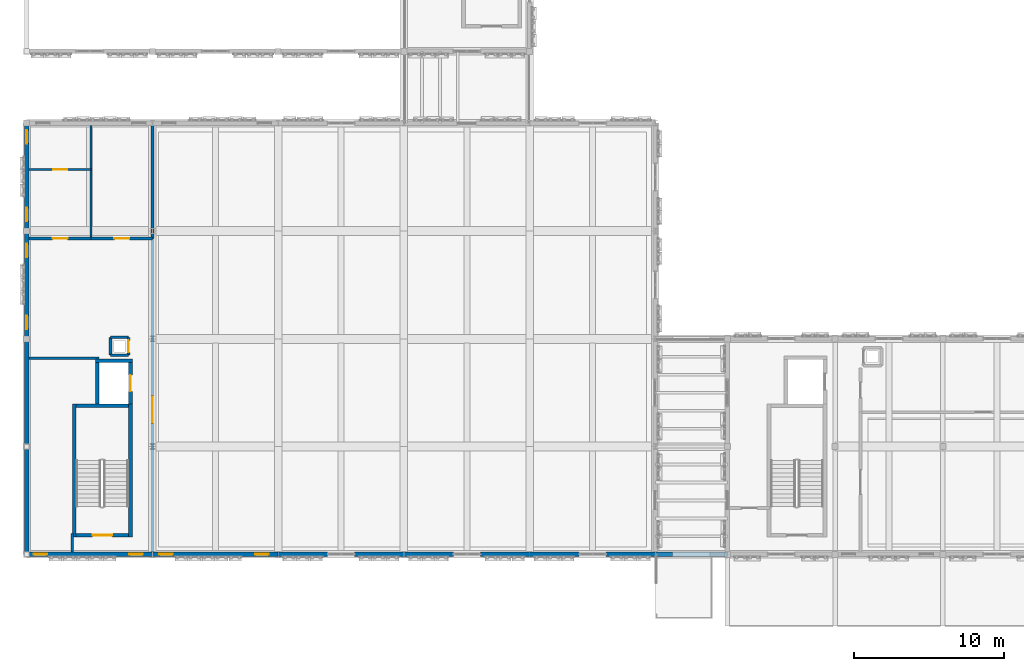
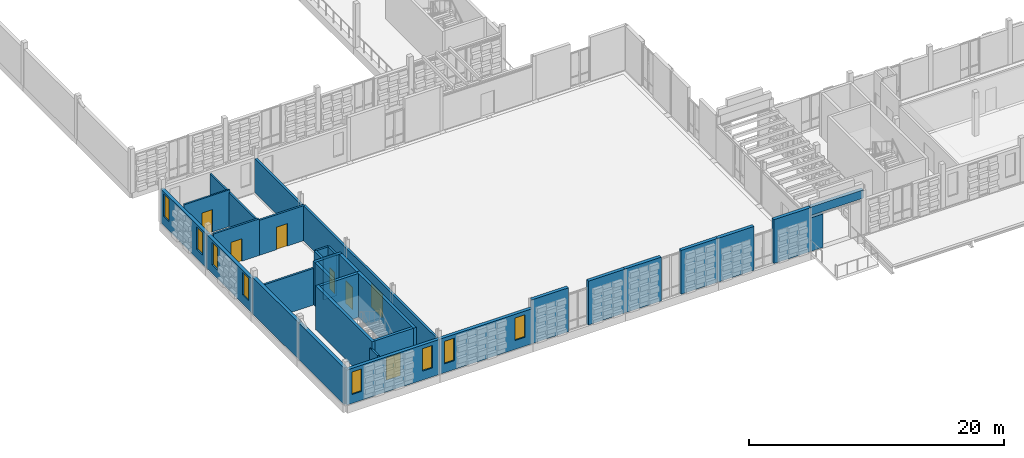
# One storey, part 64 of 99: 33 walls, 8 windows, 7 doors, 15 openings.
"""IFC4 building model written with IfcOpenShell, lengths in metres."""

from ifc_helpers import new_model, si_unit, direction, frame, frame_2d, origin, place, context, subcontext, project, spatial, rectangle, extrude, material, layer, layer_set, type_object, element, fill, save


model = new_model("IFC4")

# Units and contexts
model_context = context("Model", 3, precision=1e-05, world=origin(), true_north=direction((0.0, 1.0)))
body_context = subcontext(model_context, "Body", "Model", "MODEL_VIEW")
ifc_project = project(units=[si_unit("LENGTHUNIT", "METRE"), si_unit("AREAUNIT", "SQUARE_METRE"), si_unit("VOLUMEUNIT", "CUBIC_METRE"), si_unit("PLANEANGLEUNIT", "RADIAN"), si_unit("MASSUNIT", "GRAM", prefix="KILO")], contexts=[model_context])

# Site, building, storey
site_placement = place(None, origin())
site = spatial("IfcSite", under=ifc_project, at=site_placement, CompositionType="ELEMENT")
building_placement = place(site_placement, origin())
building = spatial("IfcBuilding", under=site, at=building_placement, Name="Kahlenmark Community Centre", CompositionType="ELEMENT")
storey_placement = place(building_placement, frame((0.0, 0.0, 5.39990234375)))
storey = spatial("IfcBuildingStorey", under=building, at=storey_placement, Name="L01", CompositionType="ELEMENT", Elevation=5.39990234375)

# Wall, opening, door
ifc_material_1 = material(Name="Concrete C35/45", Category="concrete")
ifc_layer_1 = layer(ifc_material_1, 0.25)
ifc_layer_set_1 = layer_set([ifc_layer_1], Name="Concrete C35/45")
wall_type_1 = type_object("IfcWallType", Name="WT-CORE-250", PredefinedType="SHEAR", material=ifc_layer_set_1)
wall_1_placement = place(storey_placement, frame((7.300048828125, 10.074951171875, 0.0), z_axis=(0.0, 0.0, 1.0), x_axis=(1.0, 0.0, 0.0)))
wall_1 = element("IfcWall", 1, at=wall_1_placement, inside=storey, type_object=wall_type_1, Name="Core K1 shear wall WL-CORE-K1-L01-0015", PredefinedType="SHEAR", context=body_context, shape_type="SweptSolid", body=[
    extrude(rectangle(XDim=3.5, YDim=0.25, at=frame_2d((1.75, 0.0))), origin(), (0.0, 0.0, 1.0), 4.2001953125),
])
opening_1_placement = place(wall_1_placement, frame((1.10009765625, 0.0, -0.010009765625)))
opening_1 = element("IfcOpeningElement", 2, at=opening_1_placement, cuts=wall_1, Name="Opening FD-K1-L01", PredefinedType="OPENING", context=body_context, shape_type="SweptSolid", body=[
    extrude(rectangle(XDim=1.300048828125, YDim=2.159912109375, at=frame_2d((0.64990234375, 1.080078125))), frame((0.0, 0.135009765625, 0.0), z_axis=(0.0, -1.0, 0.0), x_axis=(1.0, 0.0, 0.0)), (0.0, 0.0, 1.0), 0.27001953125),
])
ifc_material_2 = material(Name="Fire-rated steel-framed timber door FD60S", Category="steel")
door_type_1 = type_object("IfcDoorType", Name="DT-FD-K1-L01", OperationType="NOTDEFINED", PredefinedType="DOOR", material=ifc_material_2)
door_1_placement = place(opening_1_placement, frame((0.0, 0.0, 0.010009765625)))
door_1 = element("IfcDoor", 3, at=door_1_placement, inside=storey, type_object=door_type_1, Name="Core K1 stair fire door L01", OperationType="SINGLE_SWING_RIGHT", OverallHeight=2.14990234375, OverallWidth=1.300048828125, PredefinedType="DOOR", context=body_context, shape_type="SweptSolid", body=[
    extrude(rectangle(XDim=1.300048828125, YDim=2.14990234375, at=frame_2d((0.64990234375, 1.074951171875))), frame((0.0, 0.02490234375, 0.0), z_axis=(0.0, -1.0, 0.0), x_axis=(1.0, 0.0, 0.0)), (0.0, 0.0, 1.0), 0.050048828125),
])
fill(opening_1, door_1)

# Walls
wall_2_placement = place(storey_placement, frame((7.175048828125, 9.949951171875, 0.0), z_axis=(0.0, 0.0, 1.0), x_axis=(0.0, 1.0, 0.0)))
element("IfcWall", 4, at=wall_2_placement, inside=storey, type_object=wall_type_1, Name="Core K1 shear wall WL-CORE-K1-L01-0016", PredefinedType="SHEAR", context=body_context, shape_type="SweptSolid", body=[
    extrude(rectangle(XDim=8.900146484375, YDim=0.25, at=frame_2d((4.4501953125, 0.0))), origin(), (0.0, 0.0, 1.0), 4.2001953125),
])
wall_3_placement = place(storey_placement, frame((10.800048828125, 18.72509765625, 0.0), z_axis=(0.0, 0.0, 1.0), x_axis=(-1.0, 0.0, 0.0)))
element("IfcWall", 5, at=wall_3_placement, inside=storey, type_object=wall_type_1, Name="Core K1 shear wall WL-CORE-K1-L01-0017", PredefinedType="SHEAR", context=body_context, shape_type="SweptSolid", body=[
    extrude(rectangle(XDim=3.5, YDim=0.25, at=frame_2d((1.75, 0.0))), origin(), (0.0, 0.0, 1.0), 4.2001953125),
])
wall_4_placement = place(storey_placement, frame((10.925048828125, 9.949951171875, 0.0), z_axis=(0.0, 0.0, 1.0), x_axis=(0.0, 1.0, 0.0)))
element("IfcWall", 6, at=wall_4_placement, inside=storey, type_object=wall_type_1, Name="Core K1 shear wall WL-CORE-K1-L01-0018", PredefinedType="SHEAR", context=body_context, shape_type="SweptSolid", body=[
    extrude(rectangle(XDim=8.900146484375, YDim=0.25, at=frame_2d((4.4501953125, 0.0))), origin(), (0.0, 0.0, 1.0), 4.2001953125),
])
wall_5_placement = place(storey_placement, frame((8.590087890625, 21.735107421875, 0.0), z_axis=(0.0, 0.0, 1.0), x_axis=(1.0, 0.0, 0.0)))
element("IfcWall", 7, at=wall_5_placement, inside=storey, type_object=wall_type_1, Name="Core K1 shear wall WL-CORE-K1-L01-0019", PredefinedType="SHEAR", context=body_context, shape_type="SweptSolid", body=[
    extrude(rectangle(XDim=2.4599609375, YDim=0.25, at=frame_2d((1.22998046875, 0.0))), origin(), (0.0, 0.0, 1.0), 4.2001953125),
])

# Wall, opening, door
wall_6_placement = place(storey_placement, frame((10.925048828125, 18.85009765625, 0.0), z_axis=(0.0, 0.0, 1.0), x_axis=(0.0, 1.0, 0.0)))
wall_6 = element("IfcWall", 8, at=wall_6_placement, inside=storey, type_object=wall_type_1, Name="Core K1 shear wall WL-CORE-K1-L01-0020", PredefinedType="SHEAR", context=body_context, shape_type="SweptSolid", body=[
    extrude(rectangle(XDim=2.760009765625, YDim=0.25, at=frame_2d((1.3798828125, 0.0))), origin(), (0.0, 0.0, 1.0), 4.2001953125),
])
opening_2_placement = place(wall_6_placement, frame((0.830078125, 0.0, -0.010009765625)))
opening_2 = element("IfcOpeningElement", 9, at=opening_2_placement, cuts=wall_6, Name="Opening LD-1", PredefinedType="OPENING", context=body_context, shape_type="SweptSolid", body=[
    extrude(rectangle(XDim=1.10009765625, YDim=2.159912109375, at=frame_2d((0.550048828125, 1.080078125))), frame((0.0, 0.135009765625, 0.0), z_axis=(0.0, -1.0, 0.0), x_axis=(1.0, 0.0, 0.0)), (0.0, 0.0, 1.0), 0.27001953125),
])
ifc_material_3 = material(Name="Brushed stainless steel sliding lift landing door", Category="steel")
door_type_2 = type_object("IfcDoorType", Name="DT-LD-K1", OperationType="SLIDING_TO_LEFT", PredefinedType="DOOR", material=ifc_material_3)
door_2_placement = place(opening_2_placement, frame((0.0, 0.0, 0.010009765625)))
door_2 = element("IfcDoor", 10, at=door_2_placement, inside=storey, type_object=door_type_2, Name="Lift LF-01 sliding landing door L01", OperationType="SLIDING_TO_LEFT", OverallHeight=2.14990234375, OverallWidth=1.10009765625, PredefinedType="DOOR", context=body_context, shape_type="SweptSolid", body=[
    extrude(rectangle(XDim=1.10009765625, YDim=2.14990234375, at=frame_2d((0.550048828125, 1.074951171875))), frame((0.0, 0.02490234375, 0.0), z_axis=(0.0, -1.0, 0.0), x_axis=(1.0, 0.0, 0.0)), (0.0, 0.0, 1.0), 0.050048828125),
])
fill(opening_2, door_2)

# Wall
wall_7_placement = place(storey_placement, frame((8.715087890625, 18.85009765625, 0.0), z_axis=(0.0, 0.0, 1.0), x_axis=(0.0, 1.0, 0.0)))
element("IfcWall", 11, at=wall_7_placement, inside=storey, type_object=wall_type_1, Name="Core K1 shear wall WL-CORE-K1-L01-0021", PredefinedType="SHEAR", context=body_context, shape_type="SweptSolid", body=[
    extrude(rectangle(XDim=3.010009765625, YDim=0.25, at=frame_2d((1.5048828125, 0.0))), origin(), (0.0, 0.0, 1.0), 4.2001953125),
])

# Wall, openings, windows
ifc_material_4 = material(Name="Cross-laminated timber CLT C24", Category="wood")
ifc_layer_2 = layer(ifc_material_4, 0.300048828125)
ifc_layer_set_2 = layer_set([ifc_layer_2], Name="Cross-laminated timber CLT C24")
wall_type_2 = type_object("IfcWallType", Name="WT-EW-300", PredefinedType="SOLIDWALL", material=ifc_layer_set_2)
wall_8_placement = place(storey_placement, frame((4.0, 8.800048828125, 0.0), z_axis=(0.0, 0.0, 1.0), x_axis=(1.0, 0.0, 0.0)))
wall_8 = element("IfcWall", 12, at=wall_8_placement, inside=storey, type_object=wall_type_2, Name="Exterior wall WL-EXT-L01-0245", PredefinedType="SOLIDWALL", context=body_context, shape_type="SweptSolid", body=[
    extrude(rectangle(XDim=8.39990234375, YDim=0.300048828125, at=frame_2d((4.199951171875, 0.0))), origin(), (0.0, 0.0, 1.0), 3.35009765625),
])
opening_3_placement = place(wall_8_placement, frame((0.4599609375, 0.0, 0.85009765625)))
opening_3 = element("IfcOpeningElement", 13, at=opening_3_placement, cuts=wall_8, Name="Opening W-090X215", PredefinedType="OPENING", context=body_context, shape_type="SweptSolid", body=[
    extrude(rectangle(XDim=0.89990234375, YDim=2.14990234375, at=frame_2d((0.449951171875, 1.074951171875))), frame((0.0, 0.159912109375, 0.0), z_axis=(0.0, -1.0, 0.0), x_axis=(1.0, 0.0, 0.0)), (0.0, 0.0, 1.0), 0.320068359375),
])
opening_4_placement = place(wall_8_placement, frame((6.860107421875, 0.0, 0.85009765625)))
opening_4 = element("IfcOpeningElement", 14, at=opening_4_placement, cuts=wall_8, Name="Opening W-090X215", PredefinedType="OPENING", context=body_context, shape_type="SweptSolid", body=[
    extrude(rectangle(XDim=0.89990234375, YDim=2.14990234375, at=frame_2d((0.449951171875, 1.074951171875))), frame((0.0, 0.159912109375, 0.0), z_axis=(0.0, -1.0, 0.0), x_axis=(1.0, 0.0, 0.0)), (0.0, 0.0, 1.0), 0.320068359375),
])
ifc_material_5 = material(Name="Recessed basketweave aperture triple glazing", Category="glass")
window_type = type_object("IfcWindowType", Name="WNT-090X215", PartitioningType="SINGLE_PANEL", PredefinedType="WINDOW", material=ifc_material_5)
window_1_placement = place(opening_3_placement, origin())
window_1 = element("IfcWindow", 15, at=window_1_placement, inside=storey, type_object=window_type, Name="Window W-090X215 #0165", OverallHeight=2.14990234375, OverallWidth=0.89990234375, PartitioningType="SINGLE_PANEL", PredefinedType="WINDOW", context=body_context, shape_type="SweptSolid", body=[
    extrude(rectangle(XDim=0.89990234375, YDim=2.14990234375, at=frame_2d((0.449951171875, 1.074951171875))), frame((0.0, 0.030029296875, 0.0), z_axis=(0.0, -1.0, 0.0), x_axis=(1.0, 0.0, 0.0)), (0.0, 0.0, 1.0), 0.06005859375),
])
fill(opening_3, window_1)
window_2_placement = place(opening_4_placement, origin())
window_2 = element("IfcWindow", 16, at=window_2_placement, inside=storey, type_object=window_type, Name="Window W-090X215 #0166", OverallHeight=2.14990234375, OverallWidth=0.89990234375, PartitioningType="SINGLE_PANEL", PredefinedType="WINDOW", context=body_context, shape_type="SweptSolid", body=[
    extrude(rectangle(XDim=0.89990234375, YDim=2.14990234375, at=frame_2d((0.449951171875, 1.074951171875))), frame((0.0, 0.030029296875, 0.0), z_axis=(0.0, -1.0, 0.0), x_axis=(1.0, 0.0, 0.0)), (0.0, 0.0, 1.0), 0.06005859375),
])
fill(opening_4, window_2)

wall_9_placement = place(storey_placement, frame((12.39990234375, 8.800048828125, 0.0), z_axis=(0.0, 0.0, 1.0), x_axis=(1.0, 0.0, 0.0)))
wall_9 = element("IfcWall", 17, at=wall_9_placement, inside=storey, type_object=wall_type_2, Name="Exterior wall WL-EXT-L01-0246", PredefinedType="SOLIDWALL", context=body_context, shape_type="SweptSolid", body=[
    extrude(rectangle(XDim=8.400146484375, YDim=0.300048828125, at=frame_2d((4.2001953125, 0.0))), origin(), (0.0, 0.0, 1.0), 3.35009765625),
])
opening_5_placement = place(wall_9_placement, frame((0.4599609375, 0.0, 0.85009765625)))
opening_5 = element("IfcOpeningElement", 18, at=opening_5_placement, cuts=wall_9, Name="Opening W-090X215", PredefinedType="OPENING", context=body_context, shape_type="SweptSolid", body=[
    extrude(rectangle(XDim=0.89990234375, YDim=2.14990234375, at=frame_2d((0.449951171875, 1.074951171875))), frame((0.0, 0.159912109375, 0.0), z_axis=(0.0, -1.0, 0.0), x_axis=(1.0, 0.0, 0.0)), (0.0, 0.0, 1.0), 0.320068359375),
])
opening_6_placement = place(wall_9_placement, frame((6.860107421875, 0.0, 0.85009765625)))
opening_6 = element("IfcOpeningElement", 19, at=opening_6_placement, cuts=wall_9, Name="Opening W-090X215", PredefinedType="OPENING", context=body_context, shape_type="SweptSolid", body=[
    extrude(rectangle(XDim=0.89990234375, YDim=2.14990234375, at=frame_2d((0.449951171875, 1.074951171875))), frame((0.0, 0.159912109375, 0.0), z_axis=(0.0, -1.0, 0.0), x_axis=(1.0, 0.0, 0.0)), (0.0, 0.0, 1.0), 0.320068359375),
])
window_3_placement = place(opening_5_placement, origin())
window_3 = element("IfcWindow", 20, at=window_3_placement, inside=storey, type_object=window_type, Name="Window W-090X215 #0167", OverallHeight=2.14990234375, OverallWidth=0.89990234375, PartitioningType="SINGLE_PANEL", PredefinedType="WINDOW", context=body_context, shape_type="SweptSolid", body=[
    extrude(rectangle(XDim=0.89990234375, YDim=2.14990234375, at=frame_2d((0.449951171875, 1.074951171875))), frame((0.0, 0.030029296875, 0.0), z_axis=(0.0, -1.0, 0.0), x_axis=(1.0, 0.0, 0.0)), (0.0, 0.0, 1.0), 0.06005859375),
])
fill(opening_5, window_3)
window_4_placement = place(opening_6_placement, origin())
window_4 = element("IfcWindow", 21, at=window_4_placement, inside=storey, type_object=window_type, Name="Window W-090X215 #0168", OverallHeight=2.14990234375, OverallWidth=0.89990234375, PartitioningType="SINGLE_PANEL", PredefinedType="WINDOW", context=body_context, shape_type="SweptSolid", body=[
    extrude(rectangle(XDim=0.89990234375, YDim=2.14990234375, at=frame_2d((0.449951171875, 1.074951171875))), frame((0.0, 0.030029296875, 0.0), z_axis=(0.0, -1.0, 0.0), x_axis=(1.0, 0.0, 0.0)), (0.0, 0.0, 1.0), 0.06005859375),
])
fill(opening_6, window_4)

# Walls
for number, where, z_axis, x_axis, name in (
    (22, (20.800048828125, 8.800048828125, 0.0), (0.0, 0.0, 1.0), (1.0, 0.0, 0.0), "Basketweave backup wall WL-EXT-L01-0247"),
    (23, (25.89990234375, 8.800048828125, 0.0), (0.0, 0.0, 1.0), (1.0, 0.0, 0.0), "Basketweave backup wall WL-EXT-L01-0248"),
    (24, (29.199951171875, 8.800048828125, 0.0), (0.0, 0.0, 1.0), (1.0, 0.0, 0.0), "Basketweave backup wall WL-EXT-L01-0249"),
    (25, (34.300048828125, 8.800048828125, 0.0), (0.0, 0.0, 1.0), (1.0, 0.0, 0.0), "Basketweave backup wall WL-EXT-L01-0250"),
):
    element("IfcWall", number, at=place(storey_placement, frame(where, z_axis=z_axis, x_axis=x_axis)), inside=storey, type_object=wall_type_2, Name=name, PredefinedType="SOLIDWALL", context=body_context, shape_type="SweptSolid", body=[
        extrude(rectangle(XDim=3.300048828125, YDim=0.300048828125, at=frame_2d((1.64990234375, 0.0))), origin(), (0.0, 0.0, 1.0), 4.2001953125),
    ])
wall_10_placement = place(storey_placement, frame((37.60009765625, 8.800048828125, 0.0), z_axis=(0.0, 0.0, 1.0), x_axis=(1.0, 0.0, 0.0)))
element("IfcWall", 26, at=wall_10_placement, inside=storey, type_object=wall_type_2, Name="Basketweave backup wall WL-EXT-L01-0251", PredefinedType="SOLIDWALL", context=body_context, shape_type="SweptSolid", body=[
    extrude(rectangle(XDim=3.2998046875, YDim=0.300048828125, at=frame_2d((1.64990234375, 0.0))), origin(), (0.0, 0.0, 1.0), 4.2001953125),
])
wall_11_placement = place(storey_placement, frame((42.699951171875, 8.800048828125, 0.0), z_axis=(0.0, 0.0, 1.0), x_axis=(1.0, 0.0, 0.0)))
element("IfcWall", 27, at=wall_11_placement, inside=storey, type_object=wall_type_2, Name="Basketweave backup wall WL-EXT-L01-0252", PredefinedType="SOLIDWALL", context=body_context, shape_type="SweptSolid", body=[
    extrude(rectangle(XDim=3.300048828125, YDim=0.300048828125, at=frame_2d((1.64990234375, 0.0))), origin(), (0.0, 0.0, 1.0), 4.2001953125),
])
for number, where, z_axis, x_axis, name in (
    (28, (4.0, 16.0, 0.0), (0.0, 0.0, 1.0), (0.0, -1.0, 0.0), "Exterior wall WL-EXT-L01-0260"),
    (29, (4.0, 23.199951171875, 0.0), (0.0, 0.0, 1.0), (0.0, -1.0, 0.0), "Exterior wall WL-EXT-L01-0261"),
):
    element("IfcWall", number, at=place(storey_placement, frame(where, z_axis=z_axis, x_axis=x_axis)), inside=storey, type_object=wall_type_2, Name=name, PredefinedType="SOLIDWALL", context=body_context, shape_type="SweptSolid", body=[
        extrude(rectangle(XDim=7.199951171875, YDim=0.300048828125, at=frame_2d((3.60009765625, 0.0))), origin(), (0.0, 0.0, 1.0), 3.5),
    ])

# Wall, openings, windows
wall_12_placement = place(storey_placement, frame((4.0, 30.39990234375, 0.0), z_axis=(0.0, 0.0, 1.0), x_axis=(0.0, -1.0, 0.0)))
wall_12 = element("IfcWall", 30, at=wall_12_placement, inside=storey, type_object=wall_type_2, Name="Exterior wall WL-EXT-L01-0262", PredefinedType="SOLIDWALL", context=body_context, shape_type="SweptSolid", body=[
    extrude(rectangle(XDim=7.199951171875, YDim=0.300048828125, at=frame_2d((3.60009765625, 0.0))), origin(), (0.0, 0.0, 1.0), 3.22998046875),
])
opening_7_placement = place(wall_12_placement, frame((0.860107421875, 0.0, 0.85009765625)))
opening_7 = element("IfcOpeningElement", 31, at=opening_7_placement, cuts=wall_12, Name="Opening W-090X215", PredefinedType="OPENING", context=body_context, shape_type="SweptSolid", body=[
    extrude(rectangle(XDim=0.89990234375, YDim=2.14990234375, at=frame_2d((0.449951171875, 1.074951171875))), frame((0.0, 0.159912109375, 0.0), z_axis=(0.0, -1.0, 0.0), x_axis=(1.0, 0.0, 0.0)), (0.0, 0.0, 1.0), 0.320068359375),
])
opening_8_placement = place(wall_12_placement, frame((5.659912109375, 0.0, 0.85009765625)))
opening_8 = element("IfcOpeningElement", 32, at=opening_8_placement, cuts=wall_12, Name="Opening W-090X215", PredefinedType="OPENING", context=body_context, shape_type="SweptSolid", body=[
    extrude(rectangle(XDim=0.89990234375, YDim=2.14990234375, at=frame_2d((0.449951171875, 1.074951171875))), frame((0.0, 0.159912109375, 0.0), z_axis=(0.0, -1.0, 0.0), x_axis=(1.0, 0.0, 0.0)), (0.0, 0.0, 1.0), 0.320068359375),
])
window_5_placement = place(opening_7_placement, origin())
window_5 = element("IfcWindow", 33, at=window_5_placement, inside=storey, type_object=window_type, Name="Window W-090X215 #0173", OverallHeight=2.14990234375, OverallWidth=0.89990234375, PartitioningType="SINGLE_PANEL", PredefinedType="WINDOW", context=body_context, shape_type="SweptSolid", body=[
    extrude(rectangle(XDim=0.89990234375, YDim=2.14990234375, at=frame_2d((0.449951171875, 1.074951171875))), frame((0.0, 0.030029296875, 0.0), z_axis=(0.0, -1.0, 0.0), x_axis=(1.0, 0.0, 0.0)), (0.0, 0.0, 1.0), 0.06005859375),
])
fill(opening_7, window_5)
window_6_placement = place(opening_8_placement, origin())
window_6 = element("IfcWindow", 34, at=window_6_placement, inside=storey, type_object=window_type, Name="Window W-090X215 #0174", OverallHeight=2.14990234375, OverallWidth=0.89990234375, PartitioningType="SINGLE_PANEL", PredefinedType="WINDOW", context=body_context, shape_type="SweptSolid", body=[
    extrude(rectangle(XDim=0.89990234375, YDim=2.14990234375, at=frame_2d((0.449951171875, 1.074951171875))), frame((0.0, 0.030029296875, 0.0), z_axis=(0.0, -1.0, 0.0), x_axis=(1.0, 0.0, 0.0)), (0.0, 0.0, 1.0), 0.06005859375),
])
fill(opening_8, window_6)

wall_13_placement = place(storey_placement, frame((4.0, 37.60009765625, 0.0), z_axis=(0.0, 0.0, 1.0), x_axis=(0.0, -1.0, 0.0)))
wall_13 = element("IfcWall", 35, at=wall_13_placement, inside=storey, type_object=wall_type_2, Name="Exterior wall WL-EXT-L01-0263", PredefinedType="SOLIDWALL", context=body_context, shape_type="SweptSolid", body=[
    extrude(rectangle(XDim=7.2001953125, YDim=0.300048828125, at=frame_2d((3.60009765625, 0.0))), origin(), (0.0, 0.0, 1.0), 3.22998046875),
])
opening_9_placement = place(wall_13_placement, frame((0.4599609375, 0.0, 0.85009765625)))
opening_9 = element("IfcOpeningElement", 36, at=opening_9_placement, cuts=wall_13, Name="Opening W-090X215", PredefinedType="OPENING", context=body_context, shape_type="SweptSolid", body=[
    extrude(rectangle(XDim=0.89990234375, YDim=2.14990234375, at=frame_2d((0.449951171875, 1.074951171875))), frame((0.0, 0.159912109375, 0.0), z_axis=(0.0, -1.0, 0.0), x_axis=(1.0, 0.0, 0.0)), (0.0, 0.0, 1.0), 0.320068359375),
])
opening_10_placement = place(wall_13_placement, frame((5.659912109375, 0.0, 0.85009765625)))
opening_10 = element("IfcOpeningElement", 37, at=opening_10_placement, cuts=wall_13, Name="Opening W-090X215", PredefinedType="OPENING", context=body_context, shape_type="SweptSolid", body=[
    extrude(rectangle(XDim=0.89990234375, YDim=2.14990234375, at=frame_2d((0.449951171875, 1.074951171875))), frame((0.0, 0.159912109375, 0.0), z_axis=(0.0, -1.0, 0.0), x_axis=(1.0, 0.0, 0.0)), (0.0, 0.0, 1.0), 0.320068359375),
])
window_7_placement = place(opening_9_placement, origin())
window_7 = element("IfcWindow", 38, at=window_7_placement, inside=storey, type_object=window_type, Name="Window W-090X215 #0175", OverallHeight=2.14990234375, OverallWidth=0.89990234375, PartitioningType="SINGLE_PANEL", PredefinedType="WINDOW", context=body_context, shape_type="SweptSolid", body=[
    extrude(rectangle(XDim=0.89990234375, YDim=2.14990234375, at=frame_2d((0.449951171875, 1.074951171875))), frame((0.0, 0.030029296875, 0.0), z_axis=(0.0, -1.0, 0.0), x_axis=(1.0, 0.0, 0.0)), (0.0, 0.0, 1.0), 0.06005859375),
])
fill(opening_9, window_7)
window_8_placement = place(opening_10_placement, origin())
window_8 = element("IfcWindow", 39, at=window_8_placement, inside=storey, type_object=window_type, Name="Window W-090X215 #0176", OverallHeight=2.14990234375, OverallWidth=0.89990234375, PartitioningType="SINGLE_PANEL", PredefinedType="WINDOW", context=body_context, shape_type="SweptSolid", body=[
    extrude(rectangle(XDim=0.89990234375, YDim=2.14990234375, at=frame_2d((0.449951171875, 1.074951171875))), frame((0.0, 0.030029296875, 0.0), z_axis=(0.0, -1.0, 0.0), x_axis=(1.0, 0.0, 0.0)), (0.0, 0.0, 1.0), 0.06005859375),
])
fill(opening_10, window_8)

# Walls
ifc_material_6 = material(Name="Danube limestone masonry", Category="masonry")
ifc_layer_3 = layer(ifc_material_6, 0.320068359375)
ifc_layer_set_3 = layer_set([ifc_layer_3], Name="Danube limestone masonry")
wall_type_3 = type_object("IfcWallType", Name="WT-PAR-PED320", PredefinedType="PARAPET", material=ifc_layer_set_3)
wall_14_placement = place(storey_placement, frame((46.0, 8.800048828125, 0.0), z_axis=(0.0, 0.0, 1.0), x_axis=(1.0, 0.0, 0.0)))
element("IfcWall", 40, at=wall_14_placement, inside=storey, type_object=wall_type_3, Name="Postmodern passage stepped-pediment portal 1014", PredefinedType="PARAPET", context=body_context, shape_type="SweptSolid", body=[
    extrude(rectangle(XDim=1.14990234375, YDim=0.320068359375, at=frame_2d((0.574951171875, 0.0))), origin(), (0.0, 0.0, 1.0), 3.210205078125),
])
wall_15_placement = place(storey_placement, frame((46.0, 8.800048828125, 3.4501953125), z_axis=(0.0, 0.0, 1.0), x_axis=(1.0, 0.0, 0.0)))
element("IfcWall", 41, at=wall_15_placement, inside=storey, type_object=wall_type_3, Name="Postmodern passage stepped-pediment portal 1016", PredefinedType="PARAPET", context=body_context, shape_type="SweptSolid", body=[
    extrude(rectangle(XDim=4.800048828125, YDim=0.320068359375, at=frame_2d((2.39990234375, 0.0))), origin(), (0.0, 0.0, 1.0), 0.7998046875),
])
ifc_material_7 = material(Name="Gypsum plasterboard partition", Category="gypsum")
ifc_layer_4 = layer(ifc_material_7, 0.14990234375)
ifc_layer_set_4 = layer_set([ifc_layer_4], Name="Gypsum plasterboard partition")
wall_type_4 = type_object("IfcWallType", Name="WT-PW-150", PredefinedType="PARTITIONING", material=ifc_layer_set_4)
wall_16_placement = place(storey_placement, frame((8.300048828125, 29.89990234375, 0.0), z_axis=(0.0, 0.0, 1.0), x_axis=(0.0, 1.0, 0.0)))
element("IfcWall", 42, at=wall_16_placement, inside=storey, type_object=wall_type_4, Name="Interior partition WL-INT-L01-0100", PredefinedType="PARTITIONING", context=body_context, shape_type="SweptSolid", body=[
    extrude(rectangle(XDim=7.56005859375, YDim=0.14990234375, at=frame_2d((3.780029296875, 0.0))), origin(), (0.0, 0.0, 1.0), 3.22998046875),
])

# Wall, opening, door
wall_17_placement = place(storey_placement, frame((4.159912109375, 34.5, 0.0), z_axis=(0.0, 0.0, 1.0), x_axis=(1.0, 0.0, 0.0)))
wall_17 = element("IfcWall", 43, at=wall_17_placement, inside=storey, type_object=wall_type_4, Name="Interior partition WL-INT-L01-0101", PredefinedType="PARTITIONING", context=body_context, shape_type="SweptSolid", body=[
    extrude(rectangle(XDim=4.14013671875, YDim=0.14990234375, at=frame_2d((2.070068359375, 0.0))), origin(), (0.0, 0.0, 1.0), 3.5),
])
opening_11_placement = place(wall_17_placement, frame((1.594970703125, 0.0, -0.010009765625)))
opening_11 = element("IfcOpeningElement", 44, at=opening_11_placement, cuts=wall_17, Name="Opening D-L01-060", PredefinedType="OPENING", context=body_context, shape_type="SweptSolid", body=[
    extrude(rectangle(XDim=0.949951171875, YDim=2.159912109375, at=frame_2d((0.47509765625, 1.080078125))), frame((0.0, 0.0849609375, 0.0), z_axis=(0.0, -1.0, 0.0), x_axis=(1.0, 0.0, 0.0)), (0.0, 0.0, 1.0), 0.169921875),
])
ifc_material_8 = material(Name="Oak timber veneer door leaf", Category="wood")
door_type_3 = type_object("IfcDoorType", Name="DT-INT-95X215", OperationType="NOTDEFINED", PredefinedType="DOOR", material=ifc_material_8)
door_3_placement = place(opening_11_placement, frame((0.949951171875, 0.0, 0.010009765625), z_axis=(0.0, 0.0, 1.0), x_axis=(-1.0, 0.0, 0.0)))
door_3 = element("IfcDoor", 45, at=door_3_placement, inside=storey, type_object=door_type_3, Name="Interior door D-L01-060", OperationType="SINGLE_SWING_LEFT", OverallHeight=2.14990234375, OverallWidth=0.949951171875, PredefinedType="DOOR", context=body_context, shape_type="SweptSolid", body=[
    extrude(rectangle(XDim=0.949951171875, YDim=2.14990234375, at=frame_2d((0.47509765625, 1.074951171875))), frame((0.0, 0.02490234375, 0.0), z_axis=(0.0, -1.0, 0.0), x_axis=(1.0, 0.0, 0.0)), (0.0, 0.0, 1.0), 0.050048828125),
])
fill(opening_11, door_3)

# Walls
ifc_layer_5 = layer(ifc_material_7, 0.179931640625)
ifc_layer_set_5 = layer_set([ifc_layer_5], Name="Gypsum plasterboard partition")
wall_type_5 = type_object("IfcWallType", Name="WT-PW-180", PredefinedType="PARTITIONING", material=ifc_layer_set_5)
wall_18_placement = place(storey_placement, frame((7.050048828125, 8.9599609375, 0.0), z_axis=(0.0, 0.0, 1.0), x_axis=(0.0, 1.0, 0.0)))
element("IfcWall", 46, at=wall_18_placement, inside=storey, type_object=wall_type_5, Name="Interior partition WL-INT-L01-0094", PredefinedType="PARTITIONING", context=body_context, shape_type="SweptSolid", body=[
    extrude(rectangle(XDim=1.239990234375, YDim=0.179931640625, at=frame_2d((0.6201171875, 0.0))), origin(), (0.0, 0.0, 1.0), 3.5),
])
wall_19_placement = place(storey_placement, frame((4.159912109375, 21.89990234375, 0.0), z_axis=(0.0, 0.0, 1.0), x_axis=(1.0, 0.0, 0.0)))
element("IfcWall", 47, at=wall_19_placement, inside=storey, type_object=wall_type_5, Name="Interior partition WL-INT-L01-0095", PredefinedType="PARTITIONING", context=body_context, shape_type="SweptSolid", body=[
    extrude(rectangle(XDim=4.68017578125, YDim=0.179931640625, at=frame_2d((2.340087890625, 0.0))), origin(), (0.0, 0.0, 1.0), 3.5),
])

# Wall, opening, door
wall_20_placement = place(storey_placement, frame((4.159912109375, 29.89990234375, 0.0), z_axis=(0.0, 0.0, 1.0), x_axis=(1.0, 0.0, 0.0)))
wall_20 = element("IfcWall", 48, at=wall_20_placement, inside=storey, type_object=wall_type_5, Name="Interior partition WL-INT-L01-0098", PredefinedType="PARTITIONING", context=body_context, shape_type="SweptSolid", body=[
    extrude(rectangle(XDim=4.14013671875, YDim=0.179931640625, at=frame_2d((2.070068359375, 0.0))), origin(), (0.0, 0.0, 1.0), 3.5),
])
opening_12_placement = place(wall_20_placement, frame((1.570068359375, 0.0, -0.010009765625)))
opening_12 = element("IfcOpeningElement", 49, at=opening_12_placement, cuts=wall_20, Name="Opening D-L01-058", PredefinedType="OPENING", context=body_context, shape_type="SweptSolid", body=[
    extrude(rectangle(XDim=1.0, YDim=2.159912109375, at=frame_2d((0.5, 1.080078125))), frame((0.0, 0.099853515625, 0.0), z_axis=(0.0, -1.0, 0.0), x_axis=(1.0, 0.0, 0.0)), (0.0, 0.0, 1.0), 0.199951171875),
])
door_type_4 = type_object("IfcDoorType", Name="DT-INT-100X215", OperationType="NOTDEFINED", PredefinedType="DOOR", material=ifc_material_8)
door_4_placement = place(opening_12_placement, frame((0.0, 0.0, 0.010009765625)))
door_4 = element("IfcDoor", 50, at=door_4_placement, inside=storey, type_object=door_type_4, Name="Interior door D-L01-058", OperationType="SINGLE_SWING_LEFT", OverallHeight=2.14990234375, OverallWidth=1.0, PredefinedType="DOOR", context=body_context, shape_type="SweptSolid", body=[
    extrude(rectangle(XDim=1.0, YDim=2.14990234375, at=frame_2d((0.5, 1.074951171875))), frame((0.0, 0.02490234375, 0.0), z_axis=(0.0, -1.0, 0.0), x_axis=(1.0, 0.0, 0.0)), (0.0, 0.0, 1.0), 0.050048828125),
])
fill(opening_12, door_4)

wall_21_placement = place(storey_placement, frame((8.300048828125, 29.89990234375, 0.0), z_axis=(0.0, 0.0, 1.0), x_axis=(1.0, 0.0, 0.0)))
wall_21 = element("IfcWall", 51, at=wall_21_placement, inside=storey, type_object=wall_type_5, Name="Interior partition WL-INT-L01-0099", PredefinedType="PARTITIONING", context=body_context, shape_type="SweptSolid", body=[
    extrude(rectangle(XDim=4.099853515625, YDim=0.179931640625, at=frame_2d((2.0498046875, 0.0))), origin(), (0.0, 0.0, 1.0), 3.35009765625),
])
opening_13_placement = place(wall_21_placement, frame((1.550048828125, 0.0, -0.010009765625)))
opening_13 = element("IfcOpeningElement", 52, at=opening_13_placement, cuts=wall_21, Name="Opening D-L01-059", PredefinedType="OPENING", context=body_context, shape_type="SweptSolid", body=[
    extrude(rectangle(XDim=1.0, YDim=2.159912109375, at=frame_2d((0.5, 1.080078125))), frame((0.0, 0.099853515625, 0.0), z_axis=(0.0, -1.0, 0.0), x_axis=(1.0, 0.0, 0.0)), (0.0, 0.0, 1.0), 0.199951171875),
])
door_5_placement = place(opening_13_placement, frame((0.0, 0.0, 0.010009765625)))
door_5 = element("IfcDoor", 53, at=door_5_placement, inside=storey, type_object=door_type_4, Name="Interior door D-L01-059", OperationType="SINGLE_SWING_RIGHT", OverallHeight=2.14990234375, OverallWidth=1.0, PredefinedType="DOOR", context=body_context, shape_type="SweptSolid", body=[
    extrude(rectangle(XDim=1.0, YDim=2.14990234375, at=frame_2d((0.5, 1.074951171875))), frame((0.0, 0.02490234375, 0.0), z_axis=(0.0, -1.0, 0.0), x_axis=(1.0, 0.0, 0.0)), (0.0, 0.0, 1.0), 0.050048828125),
])
fill(opening_13, door_5)

ifc_material_9 = material(Name="Masonry blockwork", Category="masonry")
ifc_layer_6 = layer(ifc_material_9, 0.199951171875)
ifc_layer_set_6 = layer_set([ifc_layer_6], Name="Masonry blockwork")
wall_type_6 = type_object("IfcWallType", Name="WT-PW-200", PredefinedType="PARTITIONING", material=ifc_layer_set_6)
wall_22_placement = place(storey_placement, frame((12.39990234375, 8.9599609375, 0.0), z_axis=(0.0, 0.0, 1.0), x_axis=(0.0, 1.0, 0.0)))
wall_22 = element("IfcWall", 54, at=wall_22_placement, inside=storey, type_object=wall_type_6, Name="Interior partition WL-INT-L01-0096", PredefinedType="PARTITIONING", context=body_context, shape_type="SweptSolid", body=[
    extrude(rectangle(XDim=20.93994140625, YDim=0.199951171875, at=frame_2d((10.469970703125, 0.0))), origin(), (0.0, 0.0, 1.0), 3.35009765625),
])
opening_14_placement = place(wall_22_placement, frame((8.613037109375, 0.0, -0.010009765625)))
opening_14 = element("IfcOpeningElement", 55, at=opening_14_placement, cuts=wall_22, Name="Opening D-L01-057", PredefinedType="OPENING", context=body_context, shape_type="SweptSolid", body=[
    extrude(rectangle(XDim=1.800048828125, YDim=2.260009765625, at=frame_2d((0.89990234375, 1.1298828125))), frame((0.0, 0.10986328125, 0.0), z_axis=(0.0, -1.0, 0.0), x_axis=(1.0, 0.0, 0.0)), (0.0, 0.0, 1.0), 0.219970703125),
])
ifc_material_10 = material(Name="Fire-rated double corridor door FD60S")
door_type_5 = type_object("IfcDoorType", Name="DT-FD60-180X225", OperationType="NOTDEFINED", PredefinedType="DOOR", material=ifc_material_10)
door_6_placement = place(opening_14_placement, frame((1.800048828125, 0.0, 0.010009765625), z_axis=(0.0, 0.0, 1.0), x_axis=(-1.0, 0.0, 0.0)))
door_6 = element("IfcDoor", 56, at=door_6_placement, inside=storey, type_object=door_type_5, Name="Interior door D-L01-057", OperationType="DOUBLE_SWING_LEFT", OverallHeight=2.25, OverallWidth=1.800048828125, PredefinedType="DOOR", context=body_context, shape_type="SweptSolid", body=[
    extrude(rectangle(XDim=1.800048828125, YDim=2.25, at=frame_2d((0.89990234375, 1.125))), frame((0.0, 0.02490234375, 0.0), z_axis=(0.0, -1.0, 0.0), x_axis=(1.0, 0.0, 0.0)), (0.0, 0.0, 1.0), 0.050048828125),
])
fill(opening_14, door_6)

# Walls
wall_23_placement = place(storey_placement, frame((12.39990234375, 29.89990234375, 0.0), z_axis=(0.0, 0.0, 1.0), x_axis=(0.0, 1.0, 0.0)))
element("IfcWall", 57, at=wall_23_placement, inside=storey, type_object=wall_type_6, Name="Interior partition WL-INT-L01-0097", PredefinedType="PARTITIONING", context=body_context, shape_type="SweptSolid", body=[
    extrude(rectangle(XDim=7.56005859375, YDim=0.199951171875, at=frame_2d((3.780029296875, 0.0))), origin(), (0.0, 0.0, 1.0), 3.22998046875),
])
ifc_layer_7 = layer(ifc_material_9, 0.179931640625)
ifc_layer_set_7 = layer_set([ifc_layer_7], Name="Masonry blockwork")
wall_type_7 = type_object("IfcWallType", Name="WT-RISER-180", PredefinedType="SOLIDWALL", material=ifc_layer_set_7)
wall_24_placement = place(storey_placement, frame((9.60009765625, 22.10009765625, 0.0), z_axis=(0.0, 0.0, 1.0), x_axis=(1.0, 0.0, 0.0)))
element("IfcWall", 58, at=wall_24_placement, inside=storey, type_object=wall_type_7, Name="Riser RS-01 shaft wall L01.1", PredefinedType="SOLIDWALL", context=body_context, shape_type="SweptSolid", body=[
    extrude(rectangle(XDim=1.199951171875, YDim=0.179931640625, at=frame_2d((0.60009765625, 0.0))), origin(), (0.0, 0.0, 1.0), 3.97021484375),
])

# Wall, opening, door
wall_25_placement = place(storey_placement, frame((10.800048828125, 22.10009765625, 0.0), z_axis=(0.0, 0.0, 1.0), x_axis=(0.0, 1.0, 0.0)))
wall_25 = element("IfcWall", 59, at=wall_25_placement, inside=storey, type_object=wall_type_7, Name="Riser RS-01 shaft wall L01.2", PredefinedType="SOLIDWALL", context=body_context, shape_type="SweptSolid", body=[
    extrude(rectangle(XDim=1.199951171875, YDim=0.179931640625, at=frame_2d((0.60009765625, 0.0))), origin(), (0.0, 0.0, 1.0), 3.97021484375),
])
opening_15_placement = place(wall_25_placement, frame((0.199951171875, 0.0, -0.010009765625)))
opening_15 = element("IfcOpeningElement", 60, at=opening_15_placement, cuts=wall_25, Name="Opening FD-RS80", PredefinedType="OPENING", context=body_context, shape_type="SweptSolid", body=[
    extrude(rectangle(XDim=0.800048828125, YDim=2.06005859375, at=frame_2d((0.39990234375, 1.030029296875))), frame((0.0, 0.099853515625, 0.0), z_axis=(0.0, -1.0, 0.0), x_axis=(1.0, 0.0, 0.0)), (0.0, 0.0, 1.0), 0.199951171875),
])
ifc_material_11 = material(Name="Fire-rated steel service riser door FD60S", Category="steel")
door_type_6 = type_object("IfcDoorType", Name="DT-RISER-80X205", OperationType="NOTDEFINED", PredefinedType="DOOR", material=ifc_material_11)
door_7_placement = place(opening_15_placement, frame((0.0, 0.0, 0.010009765625)))
door_7 = element("IfcDoor", 61, at=door_7_placement, inside=storey, type_object=door_type_6, Name="Riser RS-01 access door L01", OperationType="SINGLE_SWING_RIGHT", OverallHeight=2.050048828125, OverallWidth=0.800048828125, PredefinedType="DOOR", context=body_context, shape_type="SweptSolid", body=[
    extrude(rectangle(XDim=0.800048828125, YDim=2.050048828125, at=frame_2d((0.39990234375, 1.02490234375))), frame((0.0, 0.02490234375, 0.0), z_axis=(0.0, -1.0, 0.0), x_axis=(1.0, 0.0, 0.0)), (0.0, 0.0, 1.0), 0.050048828125),
])
fill(opening_15, door_7)

# Walls
for number, where, z_axis, x_axis, name in (
    (62, (10.800048828125, 23.300048828125, 0.0), (0.0, 0.0, 1.0), (-1.0, 0.0, 0.0), "Riser RS-01 shaft wall L01.3"),
    (63, (9.60009765625, 23.300048828125, 0.0), (0.0, 0.0, 1.0), (0.0, -1.0, 0.0), "Riser RS-01 shaft wall L01.4"),
):
    element("IfcWall", number, at=place(storey_placement, frame(where, z_axis=z_axis, x_axis=x_axis)), inside=storey, type_object=wall_type_7, Name=name, PredefinedType="SOLIDWALL", context=body_context, shape_type="SweptSolid", body=[
        extrude(rectangle(XDim=1.199951171875, YDim=0.179931640625, at=frame_2d((0.60009765625, 0.0))), origin(), (0.0, 0.0, 1.0), 3.97021484375),
    ])

save(model, "model.ifc")
